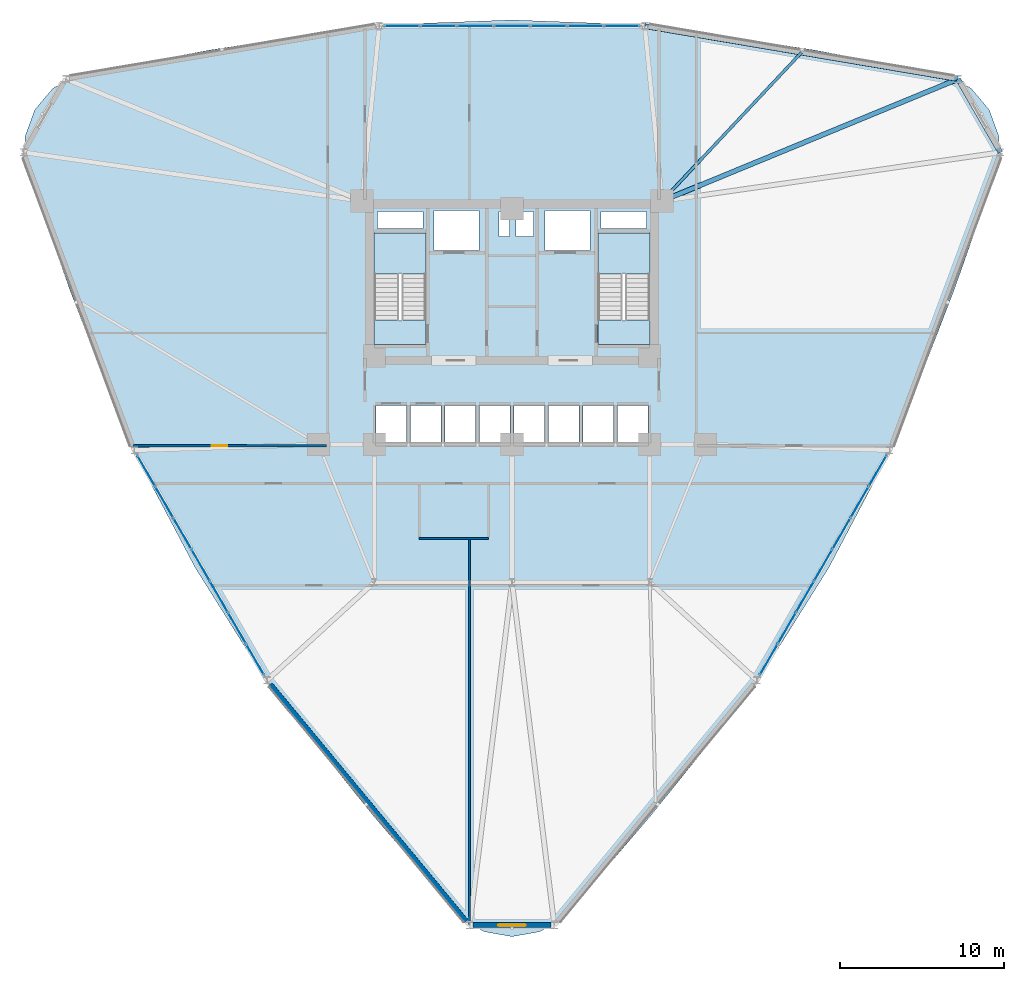
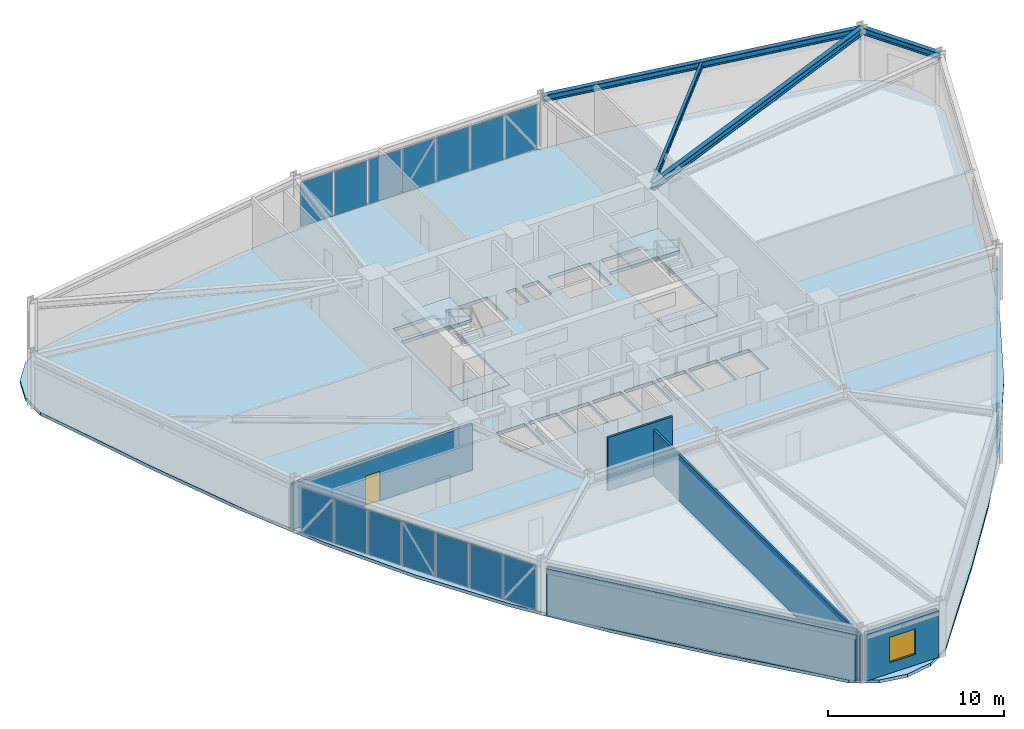
# One storey, part 14 of 21: 21 plates, 5 slabs, 5 walls, 4 beams, 1 door, 1 window, 2 openings, 5 elements without a shape of their own.
"""IFC4 building model written with IfcOpenShell, lengths in metres."""

from ifc_helpers import new_model, si_unit, derived_unit, direction, frame, frame_2d, origin, origin_2d, place, context, subcontext, project, spatial, polyline, rectangle, i_section, outline, extrude, source, transform, mapped, material, layer, layer_set, material_profile, profile_set, type_object, element, fill, aggregate, save


model = new_model("IFC4")

# Units and contexts
model_context = context("Model", 3, precision=1e-05, world=origin(), true_north=direction((0.0, 1.0)))
body_context = subcontext(model_context, "Body", "Model", "MODEL_VIEW")
ifc_project = project(units=[si_unit("LENGTHUNIT", "METRE"), si_unit("AREAUNIT", "SQUARE_METRE"), si_unit("VOLUMEUNIT", "CUBIC_METRE"), si_unit("PLANEANGLEUNIT", "RADIAN"), si_unit("MASSUNIT", "GRAM", prefix="KILO"), derived_unit("THERMALTRANSMITTANCEUNIT", [(si_unit("POWERUNIT", "WATT"), 1), (si_unit("LENGTHUNIT", "METRE"), -2), (si_unit("THERMODYNAMICTEMPERATUREUNIT", "KELVIN"), -1)])], contexts=[model_context])

# Site, building, storey
site_placement = place(None, origin())
site = spatial("IfcSite", under=ifc_project, at=site_placement, CompositionType="ELEMENT")
building_placement = place(site_placement, origin())
building = spatial("IfcBuilding", under=site, at=building_placement, Name="Korsvarv Bourse and Concert Hall", CompositionType="ELEMENT")
storey_placement = place(building_placement, frame((0.0, 0.0, 27.89990234375)))
storey = spatial("IfcBuildingStorey", under=building, at=storey_placement, Name="L06", CompositionType="ELEMENT", Elevation=27.89990234375)

# Beams
ifc_material_1 = material(Name="Steel S355", Category="steel")
ifc_material_profile_1 = material_profile(ifc_material_1, i_section(OverallWidth=0.300048828125, OverallDepth=0.449951171875, WebThickness=0.013916015625, FlangeThickness=0.02587890625, FilletRadius=0.02099609375, at=origin_2d()), Name="HEB 450")
ifc_profile_set_1 = profile_set([ifc_material_profile_1], Name="Steel S355")
beam_type_1 = type_object("IfcBeamType", Name="BM-HEB450", PredefinedType="SPANDREL", material=ifc_profile_set_1)
shared_shape_1 = source(origin(), body_context, "Body", "SweptSolid", [
    extrude(i_section(OverallWidth=0.300048828125, OverallDepth=0.449951171875, WebThickness=0.013916015625, FlangeThickness=0.02587890625, FilletRadius=0.02099609375, at=origin_2d()), origin(), (0.0, 0.0, 1.0), 5.16357421875),
])
beam_1_placement = place(storey_placement, frame((65.78857421875, 50.21728515625, 3.455078125), z_axis=(-0.499988479627, 0.866032054973, 0.0), x_axis=(-0.866032054973, -0.499988479627, 0.0)))
element("IfcBeam", 1, at=beam_1_placement, inside=storey, type_object=beam_type_1, Name="L06 beam B-08", PredefinedType="SPANDREL", context=body_context, shape_type="MappedRepresentation", body=[
    mapped(shared_shape_1, transform((0.0, 0.0, 0.0), scale=1.0)),
])
shared_shape_2 = source(origin(), body_context, "Body", "SweptSolid", [
    extrude(i_section(OverallWidth=0.300048828125, OverallDepth=0.449951171875, WebThickness=0.013916015625, FlangeThickness=0.02587890625, FilletRadius=0.02099609375, at=origin_2d()), origin(), (0.0, 0.0, 1.0), 19.380126953125),
])
beam_2_placement = place(storey_placement, frame((63.206787109375, 54.689208984375, 3.455078125), z_axis=(-0.986032714871, 0.166551749327, 0.0), x_axis=(-0.166551749327, -0.986032714871, 0.0)))
element("IfcBeam", 2, at=beam_2_placement, inside=storey, type_object=beam_type_1, Name="L06 beam B-08", PredefinedType="SPANDREL", context=body_context, shape_type="MappedRepresentation", body=[
    mapped(shared_shape_2, transform((0.0, 0.0, 0.0), scale=1.0)),
])
ifc_material_profile_2 = material_profile(ifc_material_1, i_section(OverallWidth=0.300048828125, OverallDepth=0.5, WebThickness=0.014404296875, FlangeThickness=0.028076171875, FilletRadius=0.02392578125, at=origin_2d()), Name="HEB 500")
ifc_profile_set_2 = profile_set([ifc_material_profile_2], Name="Steel S355")
beam_type_2 = type_object("IfcBeamType", Name="BM-HEB500", PredefinedType="BEAM", material=ifc_profile_set_2)
shared_shape_3 = source(origin(), body_context, "Body", "SweptSolid", [
    extrude(i_section(OverallWidth=0.300048828125, OverallDepth=0.5, WebThickness=0.014404296875, FlangeThickness=0.028076171875, FilletRadius=0.02392578125, at=origin_2d()), origin(), (0.0, 0.0, 1.0), 19.529296875),
])
beam_3_placement = place(storey_placement, frame((63.206787109375, 54.689208984375, 3.43017578125), z_axis=(-0.924605589209, -0.380925851581, 0.0), x_axis=(0.380925851581, -0.924605589209, 0.0)))
element("IfcBeam", 3, at=beam_3_placement, inside=storey, type_object=beam_type_2, Name="L06 beam B-07", PredefinedType="BEAM", context=body_context, shape_type="MappedRepresentation", body=[
    mapped(shared_shape_3, transform((0.0, 0.0, 0.0), scale=1.0)),
])
ifc_material_profile_3 = material_profile(ifc_material_1, i_section(OverallWidth=0.179931640625, OverallDepth=0.39990234375, WebThickness=0.008544921875, FlangeThickness=0.013427734375, FilletRadius=0.02099609375, at=origin_2d()), Name="IPE 400")
ifc_profile_set_3 = profile_set([ifc_material_profile_3], Name="Steel S355")
beam_type_3 = type_object("IfcBeamType", Name="BM-IPE400", PredefinedType="JOIST", material=ifc_profile_set_3)
shared_shape_4 = source(origin(), body_context, "Body", "SweptSolid", [
    extrude(i_section(OverallWidth=0.179931640625, OverallDepth=0.39990234375, WebThickness=0.008544921875, FlangeThickness=0.013427734375, FilletRadius=0.02099609375, at=origin_2d()), origin(), (0.0, 0.0, 1.0), 12.41943359375),
])
beam_4_placement = place(storey_placement, frame((53.652099609375, 56.302978515625, 3.47998046875), z_axis=(-0.684584953519, -0.72893308432, 0.0), x_axis=(0.72893308432, -0.684584953519, 0.0)))
element("IfcBeam", 4, at=beam_4_placement, inside=storey, type_object=beam_type_3, Name="L06 beam J-05", PredefinedType="JOIST", context=body_context, shape_type="MappedRepresentation", body=[
    mapped(shared_shape_4, transform((0.0, 0.0, 0.0), scale=1.0)),
])

# Slabs
ifc_material_2 = material(Name="Precast concrete C45/55", Category="concrete")
ifc_layer_1 = layer(ifc_material_2, 0.199951171875)
ifc_layer_set_1 = layer_set([ifc_layer_1], Name="Precast concrete C45/55")
slab_type_1 = type_object("IfcSlabType", Name="SLB-FLND-T", PredefinedType="LANDING", material=ifc_layer_set_1)
slab_1_placement = place(storey_placement, frame((0.0, 0.0, -0.199951171875)))
element("IfcSlab", 5, at=slab_1_placement, inside=storey, type_object=slab_type_1, Name="L06 Stair ST-T1 Floor Landing Slab", PredefinedType="LANDING", context=body_context, shape_type="SweptSolid", body=[
    extrude(outline(polyline([(30.760009765625, 38.5), (30.760009765625, 40.0), (27.60009765625, 40.0), (27.60009765625, 38.5), (30.760009765625, 38.5)])), origin(), (0.0, 0.0, 1.0), 0.199951171875),
])
slab_2_placement = place(storey_placement, frame((0.0, 0.0, -0.199951171875)))
element("IfcSlab", 6, at=slab_2_placement, inside=storey, type_object=slab_type_1, Name="L06 Stair ST-T2 Floor Landing Slab", PredefinedType="LANDING", context=body_context, shape_type="SweptSolid", body=[
    extrude(outline(polyline([(44.39990234375, 38.5), (44.39990234375, 40.0), (41.239990234375, 40.0), (41.239990234375, 38.5), (44.39990234375, 38.5)])), origin(), (0.0, 0.0, 1.0), 0.199951171875),
])

# Stair, slab
stair_type = type_object("IfcStairType", Name="STR-TYPE-03", PredefinedType="HALF_TURN_STAIR", material=ifc_material_2)
stair_1_placement = place(storey_placement, origin())
stair_1 = element("IfcStair", 7, at=stair_1_placement, inside=storey, type_object=stair_type, Name="L06 Tower West Exit Stair ST-T1", PredefinedType="HALF_TURN_STAIR")
ifc_layer_2 = layer(ifc_material_2, 0.199951171875)
ifc_layer_set_2 = layer_set([ifc_layer_2], Name="Precast concrete C45/55")
slab_type_2 = type_object("IfcSlabType", Name="SLB-ST-LND", PredefinedType="LANDING", material=ifc_layer_set_2)
slab_3_placement = place(storey_placement, frame((0.0, 0.0, 1.75)))
slab_3 = element("IfcSlab", 8, at=slab_3_placement, type_object=slab_type_2, Name="ST-T1 landing 1", PredefinedType="LANDING", context=body_context, shape_type="SweptSolid", body=[
    extrude(outline(polyline([(30.760009765625, 42.800048828125), (30.760009765625, 45.300048828125), (27.60009765625, 45.300048828125), (27.60009765625, 42.800048828125), (30.760009765625, 42.800048828125)])), origin(), (0.0, 0.0, 1.0), 0.2001953125),
])
aggregate(stair_1, [slab_3])

stair_2_placement = place(storey_placement, origin())
stair_2 = element("IfcStair", 9, at=stair_2_placement, inside=storey, type_object=stair_type, Name="L06 Tower East Exit Stair ST-T2", PredefinedType="HALF_TURN_STAIR")
slab_4_placement = place(storey_placement, frame((0.0, 0.0, 1.75)))
slab_4 = element("IfcSlab", 10, at=slab_4_placement, type_object=slab_type_2, Name="ST-T2 landing 1", PredefinedType="LANDING", context=body_context, shape_type="SweptSolid", body=[
    extrude(outline(polyline([(44.39990234375, 42.800048828125), (44.39990234375, 45.300048828125), (41.239990234375, 45.300048828125), (41.239990234375, 42.800048828125), (44.39990234375, 42.800048828125)])), origin(), (0.0, 0.0, 1.0), 0.2001953125),
])
aggregate(stair_2, [slab_4])

# Slab
ifc_material_3 = material(Name="Concrete C45/55", Category="concrete")
ifc_layer_3 = layer(ifc_material_3, 0.219970703125)
ifc_layer_set_3 = layer_set([ifc_layer_3], Name="Concrete C45/55")
slab_type_3 = type_object("IfcSlabType", Name="SLB-TW1", PredefinedType="FLOOR", material=ifc_layer_set_3)
slab_5_placement = place(storey_placement, frame((0.0, 0.0, -0.219970703125)))
element("IfcSlab", 11, at=slab_5_placement, inside=storey, type_object=slab_type_3, Name="L06 tower structural floor slab", PredefinedType="FLOOR", context=body_context, shape_type="SweptSolid", body=[
    extrude(outline(polyline([(65.048583984375, 47.712158203125), (62.943359375, 41.774169921875), (60.6953125, 35.9443359375), (58.17626953125, 30.291748046875), (55.2998046875, 24.857421875), (52.031494140625, 19.648681640625), (48.395751953125, 14.64111328125), (44.47119140625, 9.779296875), (40.38134765625, 4.9873046875), (40.376708984375, 4.981689453125), (39.17431640625, 3.548828125), (37.689208984375, 2.69140625), (36.0, 2.3935546875), (34.310791015625, 2.69140625), (32.82568359375, 3.548828125), (31.623291015625, 4.981689453125), (31.61865234375, 4.9873046875), (27.52880859375, 9.779296875), (23.604248046875, 14.64111328125), (19.968505859375, 19.648681640625), (16.7001953125, 24.857421875), (13.82373046875, 30.291748046875), (11.3046875, 35.9443359375), (9.056640625, 41.774169921875), (6.951416015625, 47.712158203125), (6.948974609375, 47.718994140625), (6.309326171875, 49.4765625), (6.309326171875, 51.19140625), (6.89599609375, 52.80322265625), (7.998291015625, 54.1171875), (9.483642578125, 54.974609375), (11.32568359375, 55.29931640625), (11.3330078125, 55.30078125), (17.52783203125, 56.446533203125), (23.700439453125, 57.414306640625), (29.855224609375, 58.059326171875), (36.0, 58.285400390625), (42.144775390625, 58.059326171875), (48.299560546875, 57.414306640625), (54.47216796875, 56.446533203125), (60.6669921875, 55.30078125), (60.67431640625, 55.29931640625), (62.516357421875, 54.974609375), (64.001708984375, 54.1171875), (65.10400390625, 52.80322265625), (65.690673828125, 51.19140625), (65.690673828125, 49.4765625), (65.051025390625, 47.718994140625), (65.048583984375, 47.712158203125)]), holes=[polyline([(30.760009765625, 38.5), (30.760009765625, 45.300048828125), (27.60009765625, 45.300048828125), (27.60009765625, 38.5), (30.760009765625, 38.5)]), polyline([(44.39990234375, 38.5), (44.39990234375, 45.300048828125), (41.239990234375, 45.300048828125), (41.239990234375, 38.5), (44.39990234375, 38.5)]), polyline([(31.239990234375, 44.219970703125), (34.0, 44.219970703125), (34.0, 46.679931640625), (31.239990234375, 46.679931640625), (31.239990234375, 44.219970703125)]), polyline([(38.0, 44.219970703125), (40.760009765625, 44.219970703125), (40.760009765625, 46.679931640625), (38.0, 46.679931640625), (38.0, 44.219970703125)]), polyline([(27.719970703125, 32.52001953125), (29.580078125, 32.52001953125), (29.580078125, 34.780029296875), (27.719970703125, 34.780029296875), (27.719970703125, 32.52001953125)]), polyline([(29.820068359375, 32.52001953125), (31.679931640625, 32.52001953125), (31.679931640625, 34.780029296875), (29.820068359375, 34.780029296875), (29.820068359375, 32.52001953125)]), polyline([(31.919921875, 32.52001953125), (33.780029296875, 32.52001953125), (33.780029296875, 34.780029296875), (31.919921875, 34.780029296875), (31.919921875, 32.52001953125)]), polyline([(34.02001953125, 32.52001953125), (35.8798828125, 32.52001953125), (35.8798828125, 34.780029296875), (34.02001953125, 34.780029296875), (34.02001953125, 32.52001953125)]), polyline([(36.1201171875, 32.52001953125), (37.97998046875, 32.52001953125), (37.97998046875, 34.780029296875), (36.1201171875, 34.780029296875), (36.1201171875, 32.52001953125)]), polyline([(38.219970703125, 32.52001953125), (40.080078125, 32.52001953125), (40.080078125, 34.780029296875), (38.219970703125, 34.780029296875), (38.219970703125, 32.52001953125)]), polyline([(40.320068359375, 32.52001953125), (42.179931640625, 32.52001953125), (42.179931640625, 34.780029296875), (40.320068359375, 34.780029296875), (40.320068359375, 32.52001953125)]), polyline([(42.419921875, 32.52001953125), (44.280029296875, 32.52001953125), (44.280029296875, 34.780029296875), (42.419921875, 34.780029296875), (42.419921875, 32.52001953125)]), polyline([(27.800048828125, 45.56005859375), (30.56005859375, 45.56005859375), (30.56005859375, 46.6201171875), (27.800048828125, 46.6201171875), (27.800048828125, 45.56005859375)]), polyline([(41.43994140625, 45.56005859375), (44.199951171875, 45.56005859375), (44.199951171875, 46.6201171875), (41.43994140625, 46.6201171875), (41.43994140625, 45.56005859375)]), polyline([(35.199951171875, 45.080078125), (35.840087890625, 45.080078125), (35.840087890625, 46.6201171875), (35.199951171875, 46.6201171875), (35.199951171875, 45.080078125)]), polyline([(36.239990234375, 45.080078125), (37.320068359375, 45.080078125), (37.320068359375, 46.6201171875), (36.239990234375, 46.6201171875), (36.239990234375, 45.080078125)])]), origin(), (0.0, 0.0, 1.0), 0.219970703125),
])

# Curtain wall, plates
ifc_material_4 = material(Name="Anodised aluminium and triple low-E glazing", Category="glass")
ifc_layer_4 = layer(ifc_material_4, 0.219970703125)
ifc_layer_set_4 = layer_set([ifc_layer_4], Name="Anodised aluminium and triple low-E glazing")
curtain_wall_type = type_object("IfcCurtainWallType", Name="CW-SYS-1", PredefinedType="NOTDEFINED", material=ifc_layer_set_4)
curtain_wall_1_placement = place(storey_placement, origin())
curtain_wall_1 = element("IfcCurtainWall", 12, at=curtain_wall_1_placement, inside=storey, type_object=curtain_wall_type, Name="L06 CW1 curtain wall CW-L06-F03", PredefinedType="NOTDEFINED")
ifc_material_5 = material(Name="Insulated spandrel glass", Category="glass")
ifc_layer_5 = layer(ifc_material_5, 0.031982421875)
ifc_layer_set_5 = layer_set([ifc_layer_5], Name="Insulated spandrel glass")
plate_type_1 = type_object("IfcPlateType", Name="CWP-SPD1", PredefinedType="CURTAIN_PANEL", material=ifc_layer_set_5)
shared_shape_5 = source(origin(), body_context, "Body", "SweptSolid", [
    extrude(rectangle(XDim=2.1337890625, YDim=0.031982421875, at=origin_2d()), origin(), (0.0, 0.0, 1.0), 3.10009765625),
])
plate_1_placement = place(storey_placement, frame((42.69873046875, 57.9169921875, 0.06494140625), z_axis=(0.0, 0.0, 1.0), x_axis=(-1.0, 0.0, 0.0)))
plate_1 = element("IfcPlate", 13, at=plate_1_placement, type_object=plate_type_1, Name="CW1 spandrel shadow-box panel 1.1", PredefinedType="CURTAIN_PANEL", context=body_context, shape_type="MappedRepresentation", body=[
    mapped(shared_shape_5, transform((0.0, 0.0, 0.0), scale=1.0)),
])
plate_2_placement = place(storey_placement, frame((29.30126953125, 57.9169921875, 0.06494140625), z_axis=(0.0, 0.0, 1.0), x_axis=(-1.0, 0.0, 0.0)))
plate_2 = element("IfcPlate", 14, at=plate_2_placement, type_object=plate_type_1, Name="CW1 spandrel shadow-box panel 7.1", PredefinedType="CURTAIN_PANEL", context=body_context, shape_type="MappedRepresentation", body=[
    mapped(shared_shape_5, transform((0.0, 0.0, 0.0), scale=1.0)),
])
ifc_material_6 = material(Name="Tempered triple insulated low-E architectural glass", Category="glass")
ifc_layer_6 = layer(ifc_material_6, 0.035888671875)
ifc_layer_set_6 = layer_set([ifc_layer_6], Name="Tempered triple insulated low-E architectural glass")
plate_type_2 = type_object("IfcPlateType", Name="CWP-VIS1", PredefinedType="CURTAIN_PANEL", material=ifc_layer_set_6)
shared_shape_6 = source(origin(), body_context, "Body", "SweptSolid", [
    extrude(rectangle(XDim=2.168701171875, YDim=0.035888671875, at=origin_2d()), origin(), (0.0, 0.0, 1.0), 3.10009765625),
])
plate_3_placement = place(storey_placement, frame((40.4775390625, 57.9169921875, 0.06494140625), z_axis=(0.0, 0.0, 1.0), x_axis=(-1.0, 0.0, 0.0)))
plate_3 = element("IfcPlate", 15, at=plate_3_placement, type_object=plate_type_2, Name="CW1 faceted panel 2.1", PredefinedType="CURTAIN_PANEL", context=body_context, shape_type="MappedRepresentation", body=[
    mapped(shared_shape_6, transform((0.0, 0.0, 0.0), scale=1.0)),
])
plate_4_placement = place(storey_placement, frame((38.23876953125, 57.9169921875, 0.06494140625), z_axis=(0.0, 0.0, 1.0), x_axis=(-1.0, 0.0, 0.0)))
plate_4 = element("IfcPlate", 16, at=plate_4_placement, type_object=plate_type_2, Name="CW1 faceted panel 3.1", PredefinedType="CURTAIN_PANEL", context=body_context, shape_type="MappedRepresentation", body=[
    mapped(shared_shape_6, transform((0.0, 0.0, 0.0), scale=1.0)),
])
plate_5_placement = place(storey_placement, frame((33.76123046875, 57.9169921875, 0.06494140625), z_axis=(0.0, 0.0, 1.0), x_axis=(-1.0, 0.0, 0.0)))
plate_5 = element("IfcPlate", 17, at=plate_5_placement, type_object=plate_type_2, Name="CW1 faceted panel 5.1", PredefinedType="CURTAIN_PANEL", context=body_context, shape_type="MappedRepresentation", body=[
    mapped(shared_shape_6, transform((0.0, 0.0, 0.0), scale=1.0)),
])
plate_6_placement = place(storey_placement, frame((31.5224609375, 57.9169921875, 0.06494140625), z_axis=(0.0, 0.0, 1.0), x_axis=(-1.0, 0.0, 0.0)))
plate_6 = element("IfcPlate", 18, at=plate_6_placement, type_object=plate_type_2, Name="CW1 faceted panel 6.1", PredefinedType="CURTAIN_PANEL", context=body_context, shape_type="MappedRepresentation", body=[
    mapped(shared_shape_6, transform((0.0, 0.0, 0.0), scale=1.0)),
])
shared_shape_7 = source(origin(), body_context, "Body", "SweptSolid", [
    extrude(rectangle(XDim=2.168701171875, YDim=0.031982421875, at=origin_2d()), origin(), (0.0, 0.0, 1.0), 3.10009765625),
])
plate_7_placement = place(storey_placement, frame((36.0, 57.9169921875, 0.06494140625), z_axis=(0.0, 0.0, 1.0), x_axis=(-1.0, 0.0, 0.0)))
plate_7 = element("IfcPlate", 19, at=plate_7_placement, type_object=plate_type_1, Name="CW1 spandrel shadow-box panel 4.1", PredefinedType="CURTAIN_PANEL", context=body_context, shape_type="MappedRepresentation", body=[
    mapped(shared_shape_7, transform((0.0, 0.0, 0.0), scale=1.0)),
])
aggregate(curtain_wall_1, [plate_1, plate_3, plate_4, plate_7, plate_5, plate_6, plate_2])

curtain_wall_2_placement = place(storey_placement, origin())
curtain_wall_2 = element("IfcCurtainWall", 20, at=curtain_wall_2_placement, inside=storey, type_object=curtain_wall_type, Name="L06 CW1 curtain wall CW-L06-F07", PredefinedType="NOTDEFINED")
shared_shape_8 = source(origin(), body_context, "Body", "SweptSolid", [
    extrude(rectangle(XDim=2.11376953125, YDim=0.031982421875, at=origin_2d()), origin(), (0.0, 0.0, 1.0), 3.10009765625),
])
plate_8_placement = place(storey_placement, frame((13.69970703125, 30.791015625, 0.06494140625), z_axis=(0.0, 0.0, 1.0), x_axis=(0.499994607504, -0.866028517121, 0.0)))
plate_8 = element("IfcPlate", 21, at=plate_8_placement, type_object=plate_type_1, Name="CW1 spandrel shadow-box panel 1.1", PredefinedType="CURTAIN_PANEL", context=body_context, shape_type="MappedRepresentation", body=[
    mapped(shared_shape_8, transform((0.0, 0.0, 0.0), scale=1.0)),
])
plate_9_placement = place(storey_placement, frame((20.338623046875, 19.291748046875, 0.06494140625), z_axis=(0.0, 0.0, 1.0), x_axis=(0.499994607504, -0.866028517121, 0.0)))
plate_9 = element("IfcPlate", 22, at=plate_9_placement, type_object=plate_type_1, Name="CW1 spandrel shadow-box panel 7.1", PredefinedType="CURTAIN_PANEL", context=body_context, shape_type="MappedRepresentation", body=[
    mapped(shared_shape_8, transform((0.0, 0.0, 0.0), scale=1.0)),
])

curtain_wall_3_placement = place(storey_placement, origin())
curtain_wall_3 = element("IfcCurtainWall", 23, at=curtain_wall_3_placement, inside=storey, type_object=curtain_wall_type, Name="L06 CW1 curtain wall CW-L06-F11", PredefinedType="NOTDEFINED")
plate_10_placement = place(storey_placement, frame((51.661376953125, 19.291748046875, 0.06494140625), z_axis=(0.0, 0.0, 1.0), x_axis=(0.499994607504, 0.866028517121, 0.0)))
plate_10 = element("IfcPlate", 24, at=plate_10_placement, type_object=plate_type_1, Name="CW1 spandrel shadow-box panel 1.1", PredefinedType="CURTAIN_PANEL", context=body_context, shape_type="MappedRepresentation", body=[
    mapped(shared_shape_8, transform((0.0, 0.0, 0.0), scale=1.0)),
])
plate_11_placement = place(storey_placement, frame((58.30029296875, 30.791015625, 0.06494140625), z_axis=(0.0, 0.0, 1.0), x_axis=(0.499994607504, 0.866028517121, 0.0)))
plate_11 = element("IfcPlate", 25, at=plate_11_placement, type_object=plate_type_1, Name="CW1 spandrel shadow-box panel 7.1", PredefinedType="CURTAIN_PANEL", context=body_context, shape_type="MappedRepresentation", body=[
    mapped(shared_shape_8, transform((0.0, 0.0, 0.0), scale=1.0)),
])

# Plate
shared_shape_9 = source(origin(), body_context, "Body", "SweptSolid", [
    extrude(rectangle(XDim=2.14892578125, YDim=0.035888671875, at=origin_2d()), origin(), (0.0, 0.0, 1.0), 3.10009765625),
])
plate_12_placement = place(storey_placement, frame((14.80029296875, 28.884765625, 0.06494140625), z_axis=(0.0, 0.0, 1.0), x_axis=(0.499994607504, -0.866028517121, 0.0)))
plate_12 = element("IfcPlate", 26, at=plate_12_placement, type_object=plate_type_2, Name="CW1 faceted panel 2.1", PredefinedType="CURTAIN_PANEL", context=body_context, shape_type="MappedRepresentation", body=[
    mapped(shared_shape_9, transform((0.0, 0.0, 0.0), scale=1.0)),
])

plate_13_placement = place(storey_placement, frame((15.90966796875, 26.963134765625, 0.06494140625), z_axis=(0.0, 0.0, 1.0), x_axis=(0.499994607504, -0.866028517121, 0.0)))
plate_13 = element("IfcPlate", 27, at=plate_13_placement, type_object=plate_type_2, Name="CW1 faceted panel 3.1", PredefinedType="CURTAIN_PANEL", context=body_context, shape_type="MappedRepresentation", body=[
    mapped(shared_shape_9, transform((0.0, 0.0, 0.0), scale=1.0)),
])

plate_14_placement = place(storey_placement, frame((18.128662109375, 23.119873046875, 0.06494140625), z_axis=(0.0, 0.0, 1.0), x_axis=(0.499994607504, -0.866028517121, 0.0)))
plate_14 = element("IfcPlate", 28, at=plate_14_placement, type_object=plate_type_2, Name="CW1 faceted panel 5.1", PredefinedType="CURTAIN_PANEL", context=body_context, shape_type="MappedRepresentation", body=[
    mapped(shared_shape_9, transform((0.0, 0.0, 0.0), scale=1.0)),
])

plate_15_placement = place(storey_placement, frame((19.238037109375, 21.1982421875, 0.06494140625), z_axis=(0.0, 0.0, 1.0), x_axis=(0.499994607504, -0.866028517121, 0.0)))
plate_15 = element("IfcPlate", 29, at=plate_15_placement, type_object=plate_type_2, Name="CW1 faceted panel 6.1", PredefinedType="CURTAIN_PANEL", context=body_context, shape_type="MappedRepresentation", body=[
    mapped(shared_shape_9, transform((0.0, 0.0, 0.0), scale=1.0)),
])

plate_16_placement = place(storey_placement, frame((52.761962890625, 21.1982421875, 0.06494140625), z_axis=(0.0, 0.0, 1.0), x_axis=(0.499994607504, 0.866028517121, 0.0)))
plate_16 = element("IfcPlate", 30, at=plate_16_placement, type_object=plate_type_2, Name="CW1 faceted panel 2.1", PredefinedType="CURTAIN_PANEL", context=body_context, shape_type="MappedRepresentation", body=[
    mapped(shared_shape_9, transform((0.0, 0.0, 0.0), scale=1.0)),
])

plate_17_placement = place(storey_placement, frame((53.871337890625, 23.119873046875, 0.06494140625), z_axis=(0.0, 0.0, 1.0), x_axis=(0.499994607504, 0.866028517121, 0.0)))
plate_17 = element("IfcPlate", 31, at=plate_17_placement, type_object=plate_type_2, Name="CW1 faceted panel 3.1", PredefinedType="CURTAIN_PANEL", context=body_context, shape_type="MappedRepresentation", body=[
    mapped(shared_shape_9, transform((0.0, 0.0, 0.0), scale=1.0)),
])

plate_18_placement = place(storey_placement, frame((56.09033203125, 26.963134765625, 0.06494140625), z_axis=(0.0, 0.0, 1.0), x_axis=(0.499994607504, 0.866028517121, 0.0)))
plate_18 = element("IfcPlate", 32, at=plate_18_placement, type_object=plate_type_2, Name="CW1 faceted panel 5.1", PredefinedType="CURTAIN_PANEL", context=body_context, shape_type="MappedRepresentation", body=[
    mapped(shared_shape_9, transform((0.0, 0.0, 0.0), scale=1.0)),
])

plate_19_placement = place(storey_placement, frame((57.19970703125, 28.884765625, 0.06494140625), z_axis=(0.0, 0.0, 1.0), x_axis=(0.499994607504, 0.866028517121, 0.0)))
plate_19 = element("IfcPlate", 33, at=plate_19_placement, type_object=plate_type_2, Name="CW1 faceted panel 6.1", PredefinedType="CURTAIN_PANEL", context=body_context, shape_type="MappedRepresentation", body=[
    mapped(shared_shape_9, transform((0.0, 0.0, 0.0), scale=1.0)),
])

shared_shape_10 = source(origin(), body_context, "Body", "SweptSolid", [
    extrude(rectangle(XDim=2.14892578125, YDim=0.031982421875, at=origin_2d()), origin(), (0.0, 0.0, 1.0), 3.10009765625),
])
plate_20_placement = place(storey_placement, frame((17.019287109375, 25.04150390625, 0.06494140625), z_axis=(0.0, 0.0, 1.0), x_axis=(0.499994607504, -0.866028517121, 0.0)))
plate_20 = element("IfcPlate", 34, at=plate_20_placement, type_object=plate_type_1, Name="CW1 spandrel shadow-box panel 4.1", PredefinedType="CURTAIN_PANEL", context=body_context, shape_type="MappedRepresentation", body=[
    mapped(shared_shape_10, transform((0.0, 0.0, 0.0), scale=1.0)),
])

aggregate(curtain_wall_2, [plate_8, plate_12, plate_13, plate_20, plate_14, plate_15, plate_9])

plate_21_placement = place(storey_placement, frame((54.980712890625, 25.04150390625, 0.06494140625), z_axis=(0.0, 0.0, 1.0), x_axis=(0.499994607504, 0.866028517121, 0.0)))
plate_21 = element("IfcPlate", 35, at=plate_21_placement, type_object=plate_type_1, Name="CW1 spandrel shadow-box panel 4.1", PredefinedType="CURTAIN_PANEL", context=body_context, shape_type="MappedRepresentation", body=[
    mapped(shared_shape_10, transform((0.0, 0.0, 0.0), scale=1.0)),
])

aggregate(curtain_wall_3, [plate_10, plate_16, plate_17, plate_21, plate_18, plate_19, plate_11])

# Wall, opening, window
ifc_material_7 = material(Name="Precast concrete C45/55 with terracotta rainscreen", Category="concrete")
ifc_layer_7 = layer(ifc_material_7, 0.300048828125)
ifc_layer_set_7 = layer_set([ifc_layer_7], Name="Precast concrete C45/55 with terracotta rainscreen")
wall_type_1 = type_object("IfcWallType", Name="WL-EXT-TC1", PredefinedType="SOLIDWALL", material=ifc_layer_set_7)
wall_1_placement = place(storey_placement, frame((33.635009765625, 3.09375, 0.0), z_axis=(0.0, 0.0, 1.0), x_axis=(1.0, 0.0, 0.0)))
wall_1 = element("IfcWall", 36, at=wall_1_placement, inside=storey, type_object=wall_type_1, Name="L06 terracotta exterior wall EW-L06-B09", PredefinedType="SOLIDWALL", context=body_context, shape_type="SweptSolid", body=[
    extrude(rectangle(XDim=4.72998046875, YDim=0.300048828125, at=frame_2d((2.364990234375, 0.0))), origin(), (0.0, 0.0, 1.0), 3.22998046875),
])
opening_1_placement = place(wall_1_placement, frame((1.514892578125, 0.0, 0.75)))
opening_1 = element("IfcOpeningElement", 37, at=opening_1_placement, cuts=wall_1, Name="Opening W-01", PredefinedType="OPENING", context=body_context, shape_type="SweptSolid", body=[
    extrude(rectangle(XDim=1.699951171875, YDim=1.75, at=frame_2d((0.85009765625, 0.875))), frame((0.0, 0.16015625, 0.0), z_axis=(0.0, -1.0, 0.0), x_axis=(1.0, 0.0, 0.0)), (0.0, 0.0, 1.0), 0.320068359375),
])
ifc_material_8 = material(Name="Thermally broken aluminium frame with triple low-E glass", Category="glass")
window_type = type_object("IfcWindowType", Name="WIN-TW1", PartitioningType="SINGLE_PANEL", PredefinedType="WINDOW", material=ifc_material_8)
window_placement = place(opening_1_placement, origin())
window = element("IfcWindow", 38, at=window_placement, inside=storey, type_object=window_type, Name="L06 punched facade window W-01", OverallHeight=1.75, OverallWidth=1.699951171875, PartitioningType="SINGLE_PANEL", PredefinedType="WINDOW", context=body_context, shape_type="SweptSolid", body=[
    extrude(rectangle(XDim=1.699951171875, YDim=1.75, at=frame_2d((0.85009765625, 0.875))), frame((0.0, 0.030029296875, 0.0), z_axis=(0.0, -1.0, 0.0), x_axis=(1.0, 0.0, 0.0)), (0.0, 0.0, 1.0), 0.06005859375),
])
fill(opening_1, window)

# Wall
ifc_material_9 = material(Name="Precast concrete C45/55 with fluted terracotta pier", Category="concrete")
ifc_layer_8 = layer(ifc_material_9, 0.280029296875)
ifc_layer_set_8 = layer_set([ifc_layer_8], Name="Precast concrete C45/55 with fluted terracotta pier")
wall_type_2 = type_object("IfcWallType", Name="WL-EXT-TC2", PredefinedType="SOLIDWALL", material=ifc_layer_set_8)
wall_2_placement = place(storey_placement, frame((21.26806640625, 17.786865234375, 0.0), z_axis=(0.0, 0.0, 1.0), x_axis=(0.637262575447, -0.770646747826, 0.0)))
element("IfcWall", 39, at=wall_2_placement, inside=storey, type_object=wall_type_2, Name="L06 terracotta exterior wall EW-L06-B08", PredefinedType="SOLIDWALL", context=body_context, shape_type="SweptSolid", body=[
    extrude(rectangle(XDim=18.751953125, YDim=0.280029296875, at=frame_2d((9.3759765625, 0.0))), origin(), (0.0, 0.0, 1.0), 3.22998046875),
])

# Wall, opening, door
ifc_material_10 = material(Name="Double-stud fire-rated acoustic partition", Category="gypsum")
ifc_layer_9 = layer(ifc_material_10, 0.159912109375)
ifc_layer_set_9 = layer_set([ifc_layer_9], Name="Double-stud fire-rated acoustic partition")
wall_type_3 = type_object("IfcWallType", Name="WL-INT-EI60", PredefinedType="PARTITIONING", material=ifc_layer_set_9)
wall_3_placement = place(storey_placement, frame((12.893310546875, 32.31494140625, 0.0), z_axis=(0.0, 0.0, 1.0), x_axis=(1.0, 0.0, 0.0)))
wall_3 = element("IfcWall", 40, at=wall_3_placement, inside=storey, type_object=wall_type_3, Name="L06 interior partition wall W-L06-TCOR-04", PredefinedType="PARTITIONING", context=body_context, shape_type="SweptSolid", body=[
    extrude(rectangle(XDim=11.7998046875, YDim=0.159912109375, at=frame_2d((5.89990234375, 0.0))), origin(), (0.0, 0.0, 1.0), 3.18017578125),
])
opening_2_placement = place(wall_3_placement, frame((4.78662109375, 0.0, 0.0)))
opening_2 = element("IfcOpeningElement", 41, at=opening_2_placement, cuts=wall_3, Name="Opening D-02", PredefinedType="OPENING", context=body_context, shape_type="SweptSolid", body=[
    extrude(rectangle(XDim=0.949951171875, YDim=2.050048828125, at=frame_2d((0.47509765625, 1.02490234375))), frame((0.0, 0.08984375, 0.0), z_axis=(0.0, -1.0, 0.0), x_axis=(1.0, 0.0, 0.0)), (0.0, 0.0, 1.0), 0.179931640625),
])
ifc_material_11 = material(Name="Timber and steel acoustic fire door", Category="wood")
door_type = type_object("IfcDoorType", Name="DR-FD30", OperationType="NOTDEFINED", PredefinedType="DOOR", material=ifc_material_11)
door_placement = place(opening_2_placement, origin())
door = element("IfcDoor", 42, at=door_placement, inside=storey, type_object=door_type, Name="L06 interior door DR-L06-TCOR-EQ59", OperationType="SINGLE_SWING_LEFT", OverallHeight=2.050048828125, OverallWidth=0.949951171875, PredefinedType="DOOR", context=body_context, shape_type="SweptSolid", body=[
    extrude(rectangle(XDim=0.949951171875, YDim=2.050048828125, at=frame_2d((0.47509765625, 1.02490234375))), frame((0.0, 0.02490234375, 0.0), z_axis=(0.0, -1.0, 0.0), x_axis=(1.0, 0.0, 0.0)), (0.0, 0.0, 1.0), 0.050048828125),
])
fill(opening_2, door)

# Walls
ifc_material_12 = material(Name="Insulated steel-stud office acoustic partition", Category="gypsum")
ifc_layer_10 = layer(ifc_material_12, 0.139892578125)
ifc_layer_set_10 = layer_set([ifc_layer_10], Name="Insulated steel-stud office acoustic partition")
wall_type_4 = type_object("IfcWallType", Name="WL-INT-P1", PredefinedType="PARTITIONING", material=ifc_layer_set_10)
wall_4_placement = place(storey_placement, frame((33.405029296875, 3.12939453125, 0.0), z_axis=(0.0, 0.0, 1.0), x_axis=(0.0, 1.0, 0.0)))
element("IfcWall", 43, at=wall_4_placement, inside=storey, type_object=wall_type_4, Name="L06 interior partition wall W-L06-TCOR-09", PredefinedType="PARTITIONING", context=body_context, shape_type="SweptSolid", body=[
    extrude(rectangle(XDim=23.560546875, YDim=0.139892578125, at=frame_2d((11.7802734375, 0.0))), origin(), (0.0, 0.0, 1.0), 3.18017578125),
])
wall_5_placement = place(storey_placement, frame((30.340087890625, 26.675048828125, 0.0), z_axis=(0.0, 0.0, 1.0), x_axis=(1.0, 0.0, 0.0)))
element("IfcWall", 44, at=wall_5_placement, inside=storey, type_object=wall_type_4, Name="L06 interior partition wall W-L06-TCOR-13", PredefinedType="PARTITIONING", context=body_context, shape_type="SweptSolid", body=[
    extrude(rectangle(XDim=4.239990234375, YDim=0.139892578125, at=frame_2d((2.1201171875, 0.0))), origin(), (0.0, 0.0, 1.0), 3.68017578125),
])

save(model, "model.ifc")
